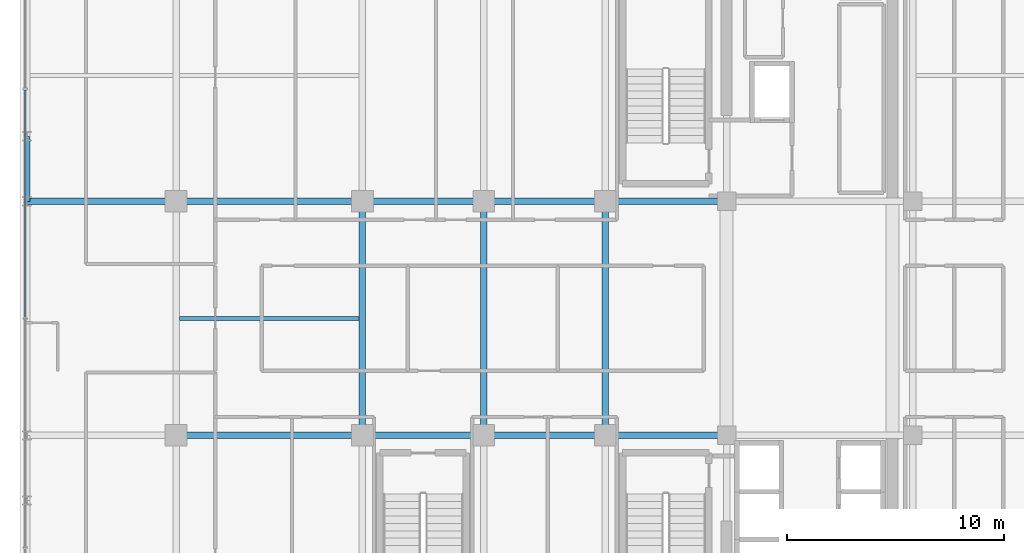
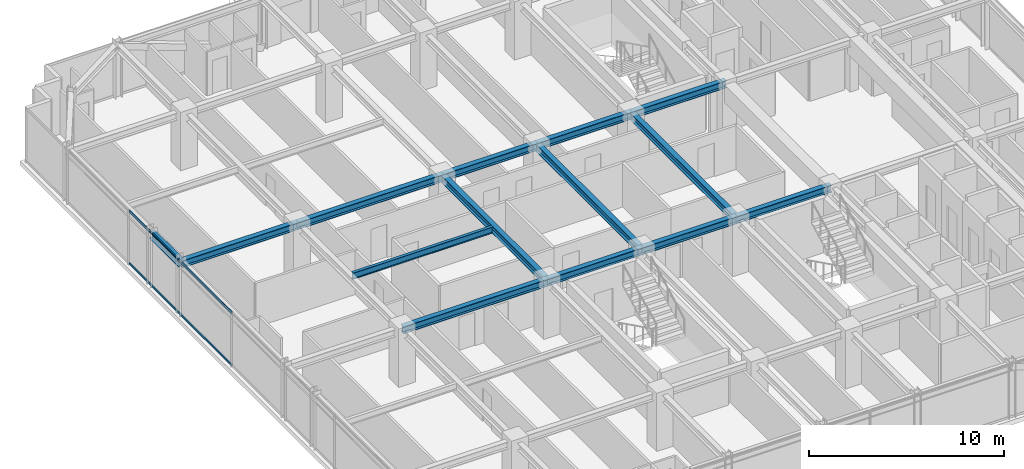
# One storey, part 11 of 43: 14 beams, 2 members, 1 element without a shape of its own.
"""IFC4 building model written with IfcOpenShell, lengths in metres."""

from ifc_helpers import new_model, si_unit, direction, frame, origin, origin_2d, place, context, subcontext, project, spatial, hollow_rectangle, i_section, extrude, source, transform, mapped, material, material_profile, profile_set, type_object, element, aggregate, save


model = new_model("IFC4")

# Units and contexts
model_context = context("Model", 3, precision=1e-05, world=origin(), true_north=direction((0.0, 1.0)))
body_context = subcontext(model_context, "Body", "Model", "MODEL_VIEW")
ifc_project = project(units=[si_unit("LENGTHUNIT", "METRE"), si_unit("AREAUNIT", "SQUARE_METRE"), si_unit("VOLUMEUNIT", "CUBIC_METRE"), si_unit("PLANEANGLEUNIT", "RADIAN"), si_unit("MASSUNIT", "GRAM", prefix="KILO")], contexts=[model_context])

# Site, building, storey
site_placement = place(None, origin())
site = spatial("IfcSite", under=ifc_project, at=site_placement, CompositionType="ELEMENT")
building_placement = place(site_placement, origin())
building = spatial("IfcBuilding", under=site, at=building_placement, Name="Nahalor Promenade Grand Hotel", CompositionType="ELEMENT")
storey_placement = place(building_placement, frame((0.0, 0.0, 204.89990234375)))
storey = spatial("IfcBuildingStorey", under=building, at=storey_placement, Name="L52", CompositionType="ELEMENT", Elevation=204.89990234375)

# Beams
ifc_material_1 = material(Name="Steel S355JR", Category="steel")
ifc_material_profile_1 = material_profile(ifc_material_1, i_section(OverallWidth=0.3, OverallDepth=0.45, WebThickness=0.014, FlangeThickness=0.026, at=origin_2d()), Name="HEB 450")
ifc_profile_set_1 = profile_set([ifc_material_profile_1], Name="Steel S355JR")
beam_type_1 = type_object("IfcBeamType", Name="Beam-Spandrel-HEB450", PredefinedType="SPANDREL", material=ifc_profile_set_1)
shared_shape_1 = source(origin(), body_context, "Body", "SweptSolid", [
    extrude(i_section(OverallWidth=0.3, OverallDepth=0.45, WebThickness=0.014, FlangeThickness=0.026, at=origin_2d()), origin(), (0.0, 0.0, 1.0), 3.0),
])
beam_1_placement = place(storey_placement, frame((-23.8798828125, 5.39990234375, 3.18505859375), z_axis=(0.0, 1.0, 0.0), x_axis=(-1.0, 0.0, 0.0)))
element("IfcBeam", 1, at=beam_1_placement, inside=storey, type_object=beam_type_1, Name="BM-L52-SP-W-3", PredefinedType="SPANDREL", context=body_context, shape_type="MappedRepresentation", body=[
    mapped(shared_shape_1, transform((0.0, 0.0, 0.0), scale=1.0)),
])
ifc_material_profile_2 = material_profile(ifc_material_1, i_section(OverallWidth=0.3, OverallDepth=0.45, WebThickness=0.014, FlangeThickness=0.026, at=origin_2d()), Name="HEB 450")
ifc_profile_set_2 = profile_set([ifc_material_profile_2], Name="Steel S355JR")
beam_type_2 = type_object("IfcBeamType", Name="Beam-Girder-HEB450", PredefinedType="BEAM", material=ifc_profile_set_2)
shared_shape_2 = source(origin(), body_context, "Body", "SweptSolid", [
    extrude(i_section(OverallWidth=0.3, OverallDepth=0.45, WebThickness=0.014, FlangeThickness=0.026, at=origin_2d()), origin(), (0.0, 0.0, 1.0), 6.8798828125),
])
beam_2_placement = place(storey_placement, frame((-23.8798828125, 5.39990234375, 3.18505859375), z_axis=(1.0, 0.0, 0.0), x_axis=(0.0, 1.0, 0.0)))
element("IfcBeam", 2, at=beam_2_placement, inside=storey, type_object=beam_type_2, Name="BM-L52-GX-2-0", PredefinedType="BEAM", context=body_context, shape_type="MappedRepresentation", body=[
    mapped(shared_shape_2, transform((0.0, 0.0, 0.0), scale=1.0)),
])
shared_shape_3 = source(origin(), body_context, "Body", "SweptSolid", [
    extrude(i_section(OverallWidth=0.3, OverallDepth=0.45, WebThickness=0.014, FlangeThickness=0.026, at=origin_2d()), origin(), (0.0, 0.0, 1.0), 8.60009765625),
])
for number, where, z_axis, x_axis, name in (
    (3, (-17.0, -5.39990234375, 3.18505859375), (1.0, 0.0, 0.0), (0.0, 1.0, 0.0), "BM-L52-GX-1-1"),
    (4, (-17.0, 5.39990234375, 3.18505859375), (1.0, 0.0, 0.0), (0.0, 1.0, 0.0), "BM-L52-GX-2-1"),
):
    element("IfcBeam", number, at=place(storey_placement, frame(where, z_axis=z_axis, x_axis=x_axis)), inside=storey, type_object=beam_type_2, Name=name, PredefinedType="BEAM", context=body_context, shape_type="MappedRepresentation", body=[
        mapped(shared_shape_3, transform((0.0, 0.0, 0.0), scale=1.0)),
    ])
shared_shape_4 = source(origin(), body_context, "Body", "SweptSolid", [
    extrude(i_section(OverallWidth=0.3, OverallDepth=0.45, WebThickness=0.014, FlangeThickness=0.026, at=origin_2d()), origin(), (0.0, 0.0, 1.0), 5.599853515625),
])
for number, where, z_axis, x_axis, name in (
    (5, (-8.39990234375, -5.39990234375, 3.18505859375), (1.0, 0.0, 0.0), (0.0, 1.0, 0.0), "BM-L52-GX-1-2"),
    (6, (2.800048828125, -5.39990234375, 3.18505859375), (1.0, 0.0, 0.0), (0.0, 1.0, 0.0), "BM-L52-GX-1-4"),
    (7, (-8.39990234375, 5.39990234375, 3.18505859375), (1.0, 0.0, 0.0), (0.0, 1.0, 0.0), "BM-L52-GX-2-2"),
    (8, (2.800048828125, 5.39990234375, 3.18505859375), (1.0, 0.0, 0.0), (0.0, 1.0, 0.0), "BM-L52-GX-2-4"),
):
    element("IfcBeam", number, at=place(storey_placement, frame(where, z_axis=z_axis, x_axis=x_axis)), inside=storey, type_object=beam_type_2, Name=name, PredefinedType="BEAM", context=body_context, shape_type="MappedRepresentation", body=[
        mapped(shared_shape_4, transform((0.0, 0.0, 0.0), scale=1.0)),
    ])
shared_shape_5 = source(origin(), body_context, "Body", "SweptSolid", [
    extrude(i_section(OverallWidth=0.3, OverallDepth=0.45, WebThickness=0.014, FlangeThickness=0.026, at=origin_2d()), origin(), (0.0, 0.0, 1.0), 5.60009765625),
])
for number, where, z_axis, x_axis, name in (
    (9, (-2.800048828125, -5.39990234375, 3.18505859375), (1.0, 0.0, 0.0), (0.0, 1.0, 0.0), "BM-L52-GX-1-3"),
    (10, (-2.800048828125, 5.39990234375, 3.18505859375), (1.0, 0.0, 0.0), (0.0, 1.0, 0.0), "BM-L52-GX-2-3"),
):
    element("IfcBeam", number, at=place(storey_placement, frame(where, z_axis=z_axis, x_axis=x_axis)), inside=storey, type_object=beam_type_2, Name=name, PredefinedType="BEAM", context=body_context, shape_type="MappedRepresentation", body=[
        mapped(shared_shape_5, transform((0.0, 0.0, 0.0), scale=1.0)),
    ])
shared_shape_6 = source(origin(), body_context, "Body", "SweptSolid", [
    extrude(i_section(OverallWidth=0.3, OverallDepth=0.45, WebThickness=0.014, FlangeThickness=0.026, at=origin_2d()), origin(), (0.0, 0.0, 1.0), 10.7998046875),
])
for number, where, z_axis, x_axis, name in (
    (11, (-8.39990234375, -5.39990234375, 3.18505859375), (0.0, 1.0, 0.0), (-1.0, 0.0, 0.0), "BM-L52-GY-1-2"),
    (12, (-2.800048828125, -5.39990234375, 3.18505859375), (0.0, 1.0, 0.0), (-1.0, 0.0, 0.0), "BM-L52-GY-2-2"),
    (13, (2.800048828125, -5.39990234375, 3.18505859375), (0.0, 1.0, 0.0), (-1.0, 0.0, 0.0), "BM-L52-GY-3-2"),
):
    element("IfcBeam", number, at=place(storey_placement, frame(where, z_axis=z_axis, x_axis=x_axis)), inside=storey, type_object=beam_type_2, Name=name, PredefinedType="BEAM", context=body_context, shape_type="MappedRepresentation", body=[
        mapped(shared_shape_6, transform((0.0, 0.0, 0.0), scale=1.0)),
    ])
ifc_material_profile_3 = material_profile(ifc_material_1, i_section(OverallWidth=0.18, OverallDepth=0.4, WebThickness=0.0086, FlangeThickness=0.0135, at=origin_2d()), Name="IPE 400")
ifc_profile_set_3 = profile_set([ifc_material_profile_3], Name="Steel S355JR")
beam_type_3 = type_object("IfcBeamType", Name="Beam-Joist-IPE400", PredefinedType="JOIST", material=ifc_profile_set_3)
shared_shape_7 = source(origin(), body_context, "Body", "SweptSolid", [
    extrude(i_section(OverallWidth=0.18, OverallDepth=0.4, WebThickness=0.0086, FlangeThickness=0.0135, at=origin_2d()), origin(), (0.0, 0.0, 1.0), 8.300048828125),
])
beam_3_placement = place(storey_placement, frame((-16.85009765625, 0.0, 3.210205078125), z_axis=(1.0, 0.0, 0.0), x_axis=(0.0, 1.0, 0.0)))
element("IfcBeam", 14, at=beam_3_placement, inside=storey, type_object=beam_type_3, Name="BM-L52-JSC-0", PredefinedType="JOIST", context=body_context, shape_type="MappedRepresentation", body=[
    mapped(shared_shape_7, transform((0.0, 0.0, 0.0), scale=1.0)),
])

# Curtain wall, members
ifc_material_2 = material(Name="Anodised Bronze Aluminium EN AW-6063 T6", Category="aluminium")
curtain_wall_type = type_object("IfcCurtainWallType", Name="CW2 Typical Hotel Flush Bronze Unitised Curtain Wall", PredefinedType="USERDEFINED", material=ifc_material_2)
curtain_wall_placement = place(storey_placement, origin())
curtain_wall = element("IfcCurtainWall", 15, at=curtain_wall_placement, inside=storey, type_object=curtain_wall_type, Name="L52 Curtain Wall CW-L52-W-1", ObjectType="UNITISED_CURTAIN_WALL", PredefinedType="USERDEFINED")
ifc_material_profile_4 = material_profile(ifc_material_2, hollow_rectangle(XDim=0.065, YDim=0.13, WallThickness=0.004, at=origin_2d()), Name="CWT 65x130x4")
ifc_profile_set_4 = profile_set([ifc_material_profile_4], Name="Anodised Bronze Aluminium EN AW-6063 T6")
member_type = type_object("IfcMemberType", Name="CWT2 Typical Bronze Transom 65x130", PredefinedType="USERDEFINED", material=ifc_profile_set_4)
shared_shape_8 = source(origin(), body_context, "Body", "SweptSolid", [
    extrude(hollow_rectangle(XDim=0.065, YDim=0.13, WallThickness=0.004, at=origin_2d()), origin(), (0.0, 0.0, 1.0), 10.51513671875),
])
member_1_placement = place(storey_placement, frame((-23.9599609375, 0.032470703125, 0.065185546875), z_axis=(0.0, 1.0, 0.0), x_axis=(-1.0, 0.0, 0.0)))
member_1 = element("IfcMember", 16, at=member_1_placement, type_object=member_type, Name="CW-L52-W-1 Transom 2-0", ObjectType="TRANSOM", PredefinedType="USERDEFINED", context=body_context, shape_type="MappedRepresentation", body=[
    mapped(shared_shape_8, transform((0.0, 0.0, 0.0), scale=1.0)),
])
member_2_placement = place(storey_placement, frame((-23.9599609375, 0.032470703125, 3.34521484375), z_axis=(0.0, 1.0, 0.0), x_axis=(-1.0, 0.0, 0.0)))
member_2 = element("IfcMember", 17, at=member_2_placement, type_object=member_type, Name="CW-L52-W-1 Transom 2-1", ObjectType="TRANSOM", PredefinedType="USERDEFINED", context=body_context, shape_type="MappedRepresentation", body=[
    mapped(shared_shape_8, transform((0.0, 0.0, 0.0), scale=1.0)),
])
aggregate(curtain_wall, [member_1, member_2])

save(model, "model.ifc")
